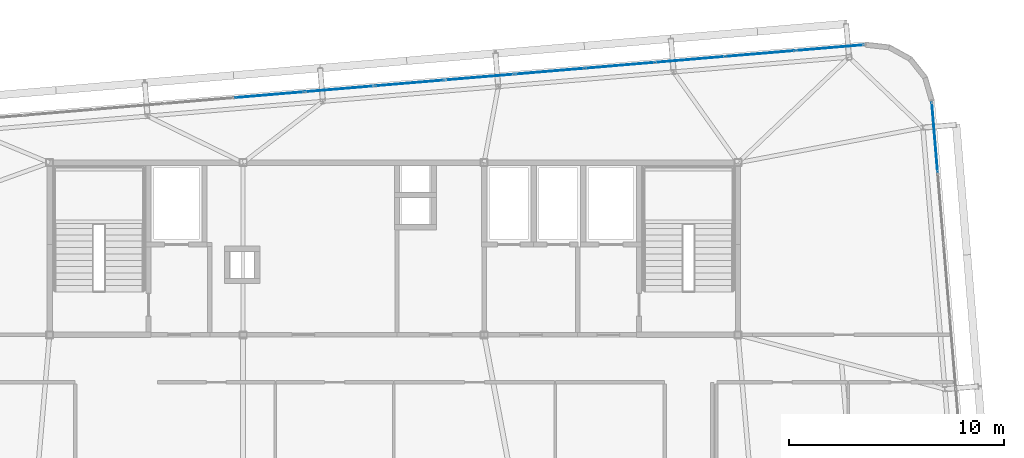
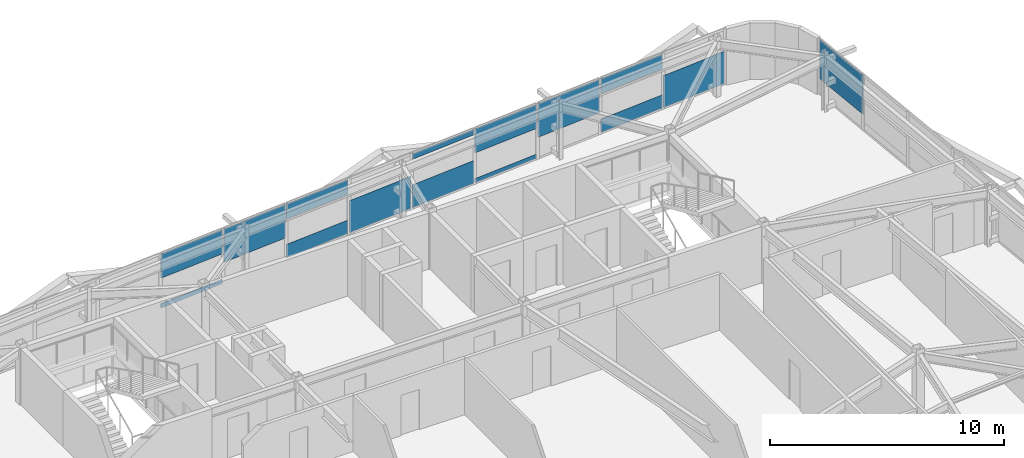
# One storey, part 33 of 46: 15 plates, 2 elements without a shape of their own.
"""IFC4 building model written with IfcOpenShell, lengths in metres."""

from ifc_helpers import new_model, si_unit, direction, frame, origin, origin_2d, place, context, subcontext, project, spatial, rectangle, extrude, source, transform, mapped, material, layer, layer_set, type_object, element, aggregate, save


model = new_model("IFC4")

# Units and contexts
model_context = context("Model", 3, precision=1e-05, world=origin(), true_north=direction((0.0, 1.0)))
body_context = subcontext(model_context, "Body", "Model", "MODEL_VIEW")
ifc_project = project(units=[si_unit("LENGTHUNIT", "METRE"), si_unit("AREAUNIT", "SQUARE_METRE"), si_unit("VOLUMEUNIT", "CUBIC_METRE"), si_unit("PLANEANGLEUNIT", "RADIAN"), si_unit("MASSUNIT", "GRAM", prefix="KILO")], contexts=[model_context])

# Site, building, storey
site_placement = place(None, origin())
site = spatial("IfcSite", under=ifc_project, at=site_placement, CompositionType="ELEMENT")
building_placement = place(site_placement, origin())
building = spatial("IfcBuilding", under=site, at=building_placement, Name="Taldren Reach Tower", CompositionType="ELEMENT")
storey_placement = place(building_placement, frame((0.0, 0.0, 185.14990234375)))
storey = spatial("IfcBuildingStorey", under=building, at=storey_placement, Name="L56", CompositionType="ELEMENT", Elevation=185.14990234375)

# Curtain wall, plates
ifc_material_1 = material(Name="Aluminium and Low-E Glass Unitised System", Category="aluminium")
ifc_layer_1 = layer(ifc_material_1, 0.159912109375)
ifc_layer_set_1 = layer_set([ifc_layer_1], Name="Aluminium and Low-E Glass Unitised System")
curtain_wall_type = type_object("IfcCurtainWallType", Name="CW-SYS-5", PredefinedType="NOTDEFINED", material=ifc_layer_set_1)
curtain_wall_1_placement = place(storey_placement, origin())
curtain_wall_1 = element("IfcCurtainWall", 1, at=curtain_wall_1_placement, inside=storey, type_object=curtain_wall_type, Name="Unitised curtain wall CW-L56-N", PredefinedType="NOTDEFINED")
ifc_material_2 = material(Name="Acoustic Triple-Laminated IGU", Category="glass")
ifc_layer_2 = layer(ifc_material_2, 0.035888671875)
ifc_layer_set_2 = layer_set([ifc_layer_2], Name="Acoustic Triple-Laminated IGU")
plate_type = type_object("IfcPlateType", Name="CW-PNL-IGU36", PredefinedType="CURTAIN_PANEL", material=ifc_layer_set_2)
shared_shape_1 = source(origin(), body_context, "Body", "SweptSolid", [
    extrude(rectangle(XDim=3.19921875, YDim=0.035888671875, at=origin_2d()), origin(), (0.0, 0.0, 1.0), 0.219482421875),
])
plate_1_placement = place(storey_placement, frame((29.223876953125, 35.15576171875, 0.06005859375), z_axis=(0.0, 0.0, 1.0), x_axis=(-0.99649285657, -0.083677875247, 0.0)))
plate_1 = element("IfcPlate", 2, at=plate_1_placement, type_object=plate_type, Name="CW-5 panel 9.1 part 1", PredefinedType="CURTAIN_PANEL", context=body_context, shape_type="MappedRepresentation", body=[
    mapped(shared_shape_1, transform((0.0, 0.0, 0.0), scale=1.0)),
])
shared_shape_2 = source(origin(), body_context, "Body", "SweptSolid", [
    extrude(rectangle(XDim=3.19921875, YDim=0.035888671875, at=origin_2d()), origin(), (0.0, 0.0, 1.0), 1.254638671875),
])
plate_2_placement = place(storey_placement, frame((29.223876953125, 35.15576171875, 1.615234375), z_axis=(0.0, 0.0, 1.0), x_axis=(-0.99649285657, -0.083677875247, 0.0)))
plate_2 = element("IfcPlate", 3, at=plate_2_placement, type_object=plate_type, Name="CW-5 panel 9.1 part 2", PredefinedType="CURTAIN_PANEL", context=body_context, shape_type="MappedRepresentation", body=[
    mapped(shared_shape_2, transform((0.0, 0.0, 0.0), scale=1.0)),
])
shared_shape_3 = source(origin(), body_context, "Body", "SweptSolid", [
    extrude(rectangle(XDim=3.19921875, YDim=0.035888671875, at=origin_2d()), origin(), (0.0, 0.0, 1.0), 1.73828125),
])
plate_3_placement = place(storey_placement, frame((32.481689453125, 35.429443359375, 1.1318359375), z_axis=(0.0, 0.0, 1.0), x_axis=(-0.99649285657, -0.083677875247, 0.0)))
plate_3 = element("IfcPlate", 4, at=plate_3_placement, type_object=plate_type, Name="CW-5 panel 8.1 part 1", PredefinedType="CURTAIN_PANEL", context=body_context, shape_type="MappedRepresentation", body=[
    mapped(shared_shape_3, transform((0.0, 0.0, 0.0), scale=1.0)),
])
shared_shape_4 = source(origin(), body_context, "Body", "SweptSolid", [
    extrude(rectangle(XDim=3.19921875, YDim=0.035888671875, at=origin_2d()), origin(), (0.0, 0.0, 1.0), 0.70703125),
])
plate_4_placement = place(storey_placement, frame((35.739501953125, 35.702880859375, 0.06005859375), z_axis=(0.0, 0.0, 1.0), x_axis=(-0.99649285657, -0.083677875247, 0.0)))
plate_4 = element("IfcPlate", 5, at=plate_4_placement, type_object=plate_type, Name="CW-5 panel 7.1 part 1", PredefinedType="CURTAIN_PANEL", context=body_context, shape_type="MappedRepresentation", body=[
    mapped(shared_shape_4, transform((0.0, 0.0, 0.0), scale=1.0)),
])
shared_shape_5 = source(origin(), body_context, "Body", "SweptSolid", [
    extrude(rectangle(XDim=3.19921875, YDim=0.035888671875, at=origin_2d()), origin(), (0.0, 0.0, 1.0), 0.76708984375),
])
plate_5_placement = place(storey_placement, frame((35.739501953125, 35.702880859375, 2.10302734375), z_axis=(0.0, 0.0, 1.0), x_axis=(-0.99649285657, -0.083677875247, 0.0)))
plate_5 = element("IfcPlate", 6, at=plate_5_placement, type_object=plate_type, Name="CW-5 panel 7.1 part 2", PredefinedType="CURTAIN_PANEL", context=body_context, shape_type="MappedRepresentation", body=[
    mapped(shared_shape_5, transform((0.0, 0.0, 0.0), scale=1.0)),
])
shared_shape_6 = source(origin(), body_context, "Body", "SweptSolid", [
    extrude(rectangle(XDim=3.19921875, YDim=0.035888671875, at=origin_2d()), origin(), (0.0, 0.0, 1.0), 1.67822265625),
])
plate_6_placement = place(storey_placement, frame((38.9970703125, 35.9765625, 0.06005859375), z_axis=(0.0, 0.0, 1.0), x_axis=(-0.99649285657, -0.083677875247, 0.0)))
plate_6 = element("IfcPlate", 7, at=plate_6_placement, type_object=plate_type, Name="CW-5 panel 6.1 part 1", PredefinedType="CURTAIN_PANEL", context=body_context, shape_type="MappedRepresentation", body=[
    mapped(shared_shape_6, transform((0.0, 0.0, 0.0), scale=1.0)),
])
shared_shape_7 = source(origin(), body_context, "Body", "SweptSolid", [
    extrude(rectangle(XDim=3.19921875, YDim=0.035888671875, at=origin_2d()), origin(), (0.0, 0.0, 1.0), 1.194580078125),
])
plate_7_placement = place(storey_placement, frame((42.2548828125, 36.25, 0.06005859375), z_axis=(0.0, 0.0, 1.0), x_axis=(-0.99649285657, -0.083677875247, 0.0)))
plate_7 = element("IfcPlate", 8, at=plate_7_placement, type_object=plate_type, Name="CW-5 panel 5.1 part 1", PredefinedType="CURTAIN_PANEL", context=body_context, shape_type="MappedRepresentation", body=[
    mapped(shared_shape_7, transform((0.0, 0.0, 0.0), scale=1.0)),
])
shared_shape_8 = source(origin(), body_context, "Body", "SweptSolid", [
    extrude(rectangle(XDim=3.19921875, YDim=0.035888671875, at=origin_2d()), origin(), (0.0, 0.0, 1.0), 0.279296875),
])
plate_8_placement = place(storey_placement, frame((42.2548828125, 36.25, 2.5908203125), z_axis=(0.0, 0.0, 1.0), x_axis=(-0.99649285657, -0.083677875247, 0.0)))
plate_8 = element("IfcPlate", 9, at=plate_8_placement, type_object=plate_type, Name="CW-5 panel 5.1 part 2", PredefinedType="CURTAIN_PANEL", context=body_context, shape_type="MappedRepresentation", body=[
    mapped(shared_shape_8, transform((0.0, 0.0, 0.0), scale=1.0)),
])
shared_shape_9 = source(origin(), body_context, "Body", "SweptSolid", [
    extrude(rectangle(XDim=3.19921875, YDim=0.035888671875, at=origin_2d()), origin(), (0.0, 0.0, 1.0), 0.223388671875),
])
plate_9_placement = place(storey_placement, frame((45.5126953125, 36.523681640625, 0.06005859375), z_axis=(0.0, 0.0, 1.0), x_axis=(-0.99649285657, -0.083677875247, 0.0)))
plate_9 = element("IfcPlate", 10, at=plate_9_placement, type_object=plate_type, Name="CW-5 panel 4.1 part 1", PredefinedType="CURTAIN_PANEL", context=body_context, shape_type="MappedRepresentation", body=[
    mapped(shared_shape_9, transform((0.0, 0.0, 0.0), scale=1.0)),
])
shared_shape_10 = source(origin(), body_context, "Body", "SweptSolid", [
    extrude(rectangle(XDim=3.19921875, YDim=0.035888671875, at=origin_2d()), origin(), (0.0, 0.0, 1.0), 1.25048828125),
])
plate_10_placement = place(storey_placement, frame((45.5126953125, 36.523681640625, 1.61962890625), z_axis=(0.0, 0.0, 1.0), x_axis=(-0.99649285657, -0.083677875247, 0.0)))
plate_10 = element("IfcPlate", 11, at=plate_10_placement, type_object=plate_type, Name="CW-5 panel 4.1 part 2", PredefinedType="CURTAIN_PANEL", context=body_context, shape_type="MappedRepresentation", body=[
    mapped(shared_shape_10, transform((0.0, 0.0, 0.0), scale=1.0)),
])
shared_shape_11 = source(origin(), body_context, "Body", "SweptSolid", [
    extrude(rectangle(XDim=3.19921875, YDim=0.035888671875, at=origin_2d()), origin(), (0.0, 0.0, 1.0), 1.742431640625),
])
plate_11_placement = place(storey_placement, frame((48.7705078125, 36.797119140625, 1.1279296875), z_axis=(0.0, 0.0, 1.0), x_axis=(-0.99649285657, -0.083677875247, 0.0)))
plate_11 = element("IfcPlate", 12, at=plate_11_placement, type_object=plate_type, Name="CW-5 panel 3.1 part 1", PredefinedType="CURTAIN_PANEL", context=body_context, shape_type="MappedRepresentation", body=[
    mapped(shared_shape_11, transform((0.0, 0.0, 0.0), scale=1.0)),
])
shared_shape_12 = source(origin(), body_context, "Body", "SweptSolid", [
    extrude(rectangle(XDim=3.19921875, YDim=0.035888671875, at=origin_2d()), origin(), (0.0, 0.0, 1.0), 0.702880859375),
])
plate_12_placement = place(storey_placement, frame((52.0283203125, 37.07080078125, 0.06005859375), z_axis=(0.0, 0.0, 1.0), x_axis=(-0.99649285657, -0.083677875247, 0.0)))
plate_12 = element("IfcPlate", 13, at=plate_12_placement, type_object=plate_type, Name="CW-5 panel 2.1 part 1", PredefinedType="CURTAIN_PANEL", context=body_context, shape_type="MappedRepresentation", body=[
    mapped(shared_shape_12, transform((0.0, 0.0, 0.0), scale=1.0)),
])
shared_shape_13 = source(origin(), body_context, "Body", "SweptSolid", [
    extrude(rectangle(XDim=3.19921875, YDim=0.035888671875, at=origin_2d()), origin(), (0.0, 0.0, 1.0), 0.771240234375),
])
plate_13_placement = place(storey_placement, frame((52.0283203125, 37.07080078125, 2.09912109375), z_axis=(0.0, 0.0, 1.0), x_axis=(-0.99649285657, -0.083677875247, 0.0)))
plate_13 = element("IfcPlate", 14, at=plate_13_placement, type_object=plate_type, Name="CW-5 panel 2.1 part 2", PredefinedType="CURTAIN_PANEL", context=body_context, shape_type="MappedRepresentation", body=[
    mapped(shared_shape_13, transform((0.0, 0.0, 0.0), scale=1.0)),
])
shared_shape_14 = source(origin(), body_context, "Body", "SweptSolid", [
    extrude(rectangle(XDim=3.164306640625, YDim=0.035888671875, at=origin_2d()), origin(), (0.0, 0.0, 1.0), 1.674072265625),
])
plate_14_placement = place(storey_placement, frame((55.2685546875, 37.3427734375, 0.06005859375), z_axis=(0.0, 0.0, 1.0), x_axis=(-0.99649285657, -0.083677875247, 0.0)))
plate_14 = element("IfcPlate", 15, at=plate_14_placement, type_object=plate_type, Name="CW-5 panel 1.1 part 1", PredefinedType="CURTAIN_PANEL", context=body_context, shape_type="MappedRepresentation", body=[
    mapped(shared_shape_14, transform((0.0, 0.0, 0.0), scale=1.0)),
])
aggregate(curtain_wall_1, [plate_14, plate_12, plate_13, plate_11, plate_9, plate_10, plate_7, plate_8, plate_6, plate_4, plate_5, plate_3, plate_1, plate_2])

# Curtain wall, plate
curtain_wall_2_placement = place(storey_placement, origin())
curtain_wall_2 = element("IfcCurtainWall", 16, at=curtain_wall_2_placement, inside=storey, type_object=curtain_wall_type, Name="Unitised curtain wall CW-L56-E", PredefinedType="NOTDEFINED")
shared_shape_15 = source(origin(), body_context, "Body", "SweptSolid", [
    extrude(rectangle(XDim=3.2451171875, YDim=0.035888671875, at=origin_2d()), origin(), (0.0, 0.0, 1.0), 2.040283203125),
])
plate_15_placement = place(storey_placement, frame((60.145751953125, 33.183837890625, 0.830078125), z_axis=(0.0, 0.0, 1.0), x_axis=(-0.083677979808, 0.996492847789, 0.0)))
plate_15 = element("IfcPlate", 17, at=plate_15_placement, type_object=plate_type, Name="CW-5 panel 8.1 part 1", PredefinedType="CURTAIN_PANEL", context=body_context, shape_type="MappedRepresentation", body=[
    mapped(shared_shape_15, transform((0.0, 0.0, 0.0), scale=1.0)),
])
aggregate(curtain_wall_2, [plate_15])

save(model, "model.ifc")
